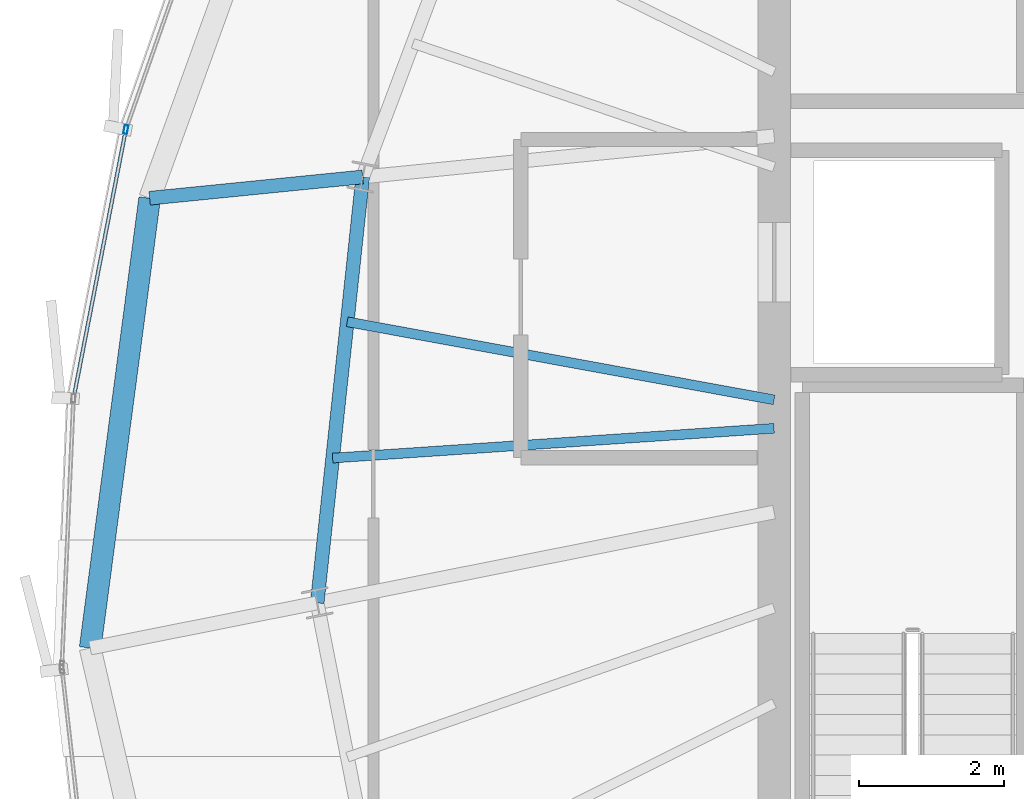
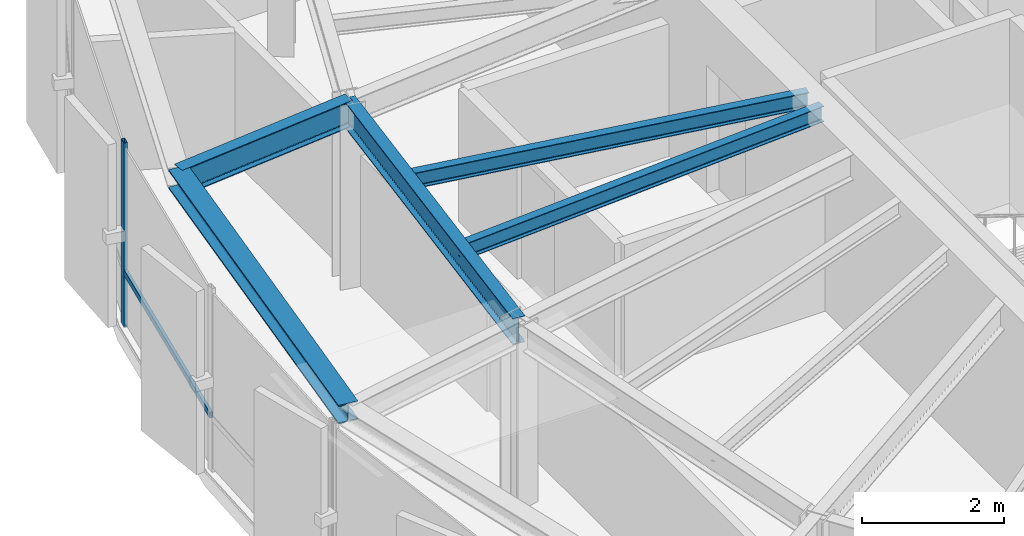
# One storey, part 11 of 31: 5 beams, 2 members, 1 element without a shape of its own.
"""IFC4 building model written with IfcOpenShell, lengths in metres."""

from ifc_helpers import new_model, si_unit, direction, frame, origin, origin_2d, place, context, subcontext, project, spatial, hollow_rectangle, i_section, extrude, source, transform, mapped, material, layer, layer_set, material_profile, profile_set, type_object, element, aggregate, save


model = new_model("IFC4")

# Units and contexts
model_context = context("Model", 3, precision=1e-05, world=origin(), true_north=direction((0.0, 1.0)))
body_context = subcontext(model_context, "Body", "Model", "MODEL_VIEW")
ifc_project = project(units=[si_unit("LENGTHUNIT", "METRE"), si_unit("AREAUNIT", "SQUARE_METRE"), si_unit("VOLUMEUNIT", "CUBIC_METRE"), si_unit("PLANEANGLEUNIT", "RADIAN"), si_unit("MASSUNIT", "GRAM", prefix="KILO"), si_unit("THERMODYNAMICTEMPERATUREUNIT", "KELVIN")], contexts=[model_context])

# Site, building, storey
site_placement = place(None, origin())
site = spatial("IfcSite", under=ifc_project, at=site_placement, CompositionType="ELEMENT")
building_placement = place(site_placement, origin())
building = spatial("IfcBuilding", under=site, at=building_placement, Name="Kethvar Cultural Tower", CompositionType="ELEMENT")
storey_placement = place(building_placement, frame((0.0, 0.0, 300.85009765625)))
storey = spatial("IfcBuildingStorey", under=building, at=storey_placement, Name="L80", CompositionType="ELEMENT", Elevation=300.85009765625)

# Beams
ifc_material_1 = material(Name="Steel S355J2", Category="steel")
ifc_material_profile_1 = material_profile(ifc_material_1, i_section(OverallWidth=0.18994140625, OverallDepth=0.449951171875, WebThickness=0.009521484375, FlangeThickness=0.0146484375, FilletRadius=0.02099609375, at=origin_2d()), Name="Steel S355J2 — IPE450")
ifc_profile_set_1 = profile_set([ifc_material_profile_1], Name="Steel S355J2 — IPE450")
beam_type_1 = type_object("IfcBeamType", Name="BM-IPE450", PredefinedType="BEAM", material=ifc_profile_set_1)
shared_shape_1 = source(origin(), body_context, "Body", "SweptSolid", [
    extrude(i_section(OverallWidth=0.18994140625, OverallDepth=0.449951171875, WebThickness=0.009521484375, FlangeThickness=0.0146484375, FilletRadius=0.02099609375, at=origin_2d()), origin(), (0.0, 0.0, 1.0), 5.92236328125),
])
beam_1_placement = place(storey_placement, frame((32.3125, 30.681884765625, 2.9580078125), z_axis=(-0.106272578913, -0.994337034899, 0.0), x_axis=(0.994337034899, -0.106272578913, 0.0)))
element("IfcBeam", 1, at=beam_1_placement, inside=storey, type_object=beam_type_1, Name="L80 Column Ring Tie Beam CR-08", PredefinedType="BEAM", context=body_context, shape_type="MappedRepresentation", body=[
    mapped(shared_shape_1, transform((0.0, 0.0, 0.0), scale=1.0)),
])
ifc_material_profile_2 = material_profile(ifc_material_1, i_section(OverallWidth=0.135009765625, OverallDepth=0.27001953125, WebThickness=0.006591796875, FlangeThickness=0.01025390625, FilletRadius=0.014892578125, at=origin_2d()), Name="Steel S355J2 — IPE270")
ifc_profile_set_2 = profile_set([ifc_material_profile_2], Name="Steel S355J2 — IPE270")
beam_type_2 = type_object("IfcBeamType", Name="BM-J270", PredefinedType="JOIST", material=ifc_profile_set_2)
shared_shape_2 = source(origin(), body_context, "Body", "SweptSolid", [
    extrude(i_section(OverallWidth=0.135009765625, OverallDepth=0.27001953125, WebThickness=0.006591796875, FlangeThickness=0.01025390625, FilletRadius=0.014892578125, at=origin_2d()), origin(), (0.0, 0.0, 1.0), 5.99951171875),
])
beam_2_placement = place(storey_placement, frame((38.0, 27.60009765625, 3.0478515625), z_axis=(-0.983676616141, 0.179945310742, 0.0), x_axis=(-0.179945310742, -0.983676616141, 0.0)))
element("IfcBeam", 2, at=beam_2_placement, inside=storey, type_object=beam_type_2, Name="L80 Composite Floor Joist J-08A", PredefinedType="JOIST", context=body_context, shape_type="MappedRepresentation", body=[
    mapped(shared_shape_2, transform((0.0, 0.0, 0.0), scale=1.0)),
])
shared_shape_3 = source(origin(), body_context, "Body", "SweptSolid", [
    extrude(i_section(OverallWidth=0.135009765625, OverallDepth=0.27001953125, WebThickness=0.006591796875, FlangeThickness=0.01025390625, FilletRadius=0.014892578125, at=origin_2d()), origin(), (0.0, 0.0, 1.0), 6.116943359375),
])
beam_3_placement = place(storey_placement, frame((38.0, 27.206787109375, 3.0478515625), z_axis=(-0.997733289627, -0.067292516454, 0.0), x_axis=(0.067292516454, -0.997733289627, 0.0)))
element("IfcBeam", 3, at=beam_3_placement, inside=storey, type_object=beam_type_2, Name="L80 Composite Floor Joist J-08B", PredefinedType="JOIST", context=body_context, shape_type="MappedRepresentation", body=[
    mapped(shared_shape_3, transform((0.0, 0.0, 0.0), scale=1.0)),
])
shared_shape_4 = source(origin(), body_context, "Body", "SweptSolid", [
    extrude(i_section(OverallWidth=0.18994140625, OverallDepth=0.449951171875, WebThickness=0.009521484375, FlangeThickness=0.0146484375, FilletRadius=0.02099609375, at=origin_2d()), origin(), (0.0, 0.0, 1.0), 2.9599609375),
])
beam_4_placement = place(storey_placement, frame((32.3125, 30.681884765625, 2.9580078125), z_axis=(-0.995048616627, -0.099389388514, 0.0), x_axis=(0.099389388514, -0.995048616627, 0.0)))
element("IfcBeam", 4, at=beam_4_placement, inside=storey, type_object=beam_type_1, Name="L80 Perimeter Cantilever Beam RC-08", PredefinedType="BEAM", context=body_context, shape_type="MappedRepresentation", body=[
    mapped(shared_shape_4, transform((0.0, 0.0, 0.0), scale=1.0)),
])
ifc_material_profile_3 = material_profile(ifc_material_1, i_section(OverallWidth=0.300048828125, OverallDepth=0.320068359375, WebThickness=0.011474609375, FlangeThickness=0.0205078125, FilletRadius=0.027099609375, at=origin_2d()), Name="Steel S355J2 — HEB320")
ifc_profile_set_3 = profile_set([ifc_material_profile_3], Name="Steel S355J2 — HEB320")
beam_type_3 = type_object("IfcBeamType", Name="BM-SP320", PredefinedType="SPANDREL", material=ifc_profile_set_3)
shared_shape_5 = source(origin(), body_context, "Body", "SweptSolid", [
    extrude(i_section(OverallWidth=0.300048828125, OverallDepth=0.320068359375, WebThickness=0.011474609375, FlangeThickness=0.0205078125, FilletRadius=0.027099609375, at=origin_2d()), origin(), (0.0, 0.0, 1.0), 6.273193359375),
])
beam_5_placement = place(storey_placement, frame((29.3671875, 30.3876953125, 3.02294921875), z_axis=(-0.131154158977, -0.991361985646, 0.0), x_axis=(0.991361985646, -0.131154158977, 0.0)))
element("IfcBeam", 5, at=beam_5_placement, inside=storey, type_object=beam_type_3, Name="L80 Perimeter Spandrel Beam SP-08", PredefinedType="SPANDREL", context=body_context, shape_type="MappedRepresentation", body=[
    mapped(shared_shape_5, transform((0.0, 0.0, 0.0), scale=1.0)),
])

# Curtain wall, members
ifc_material_2 = material(Name="Aluminium 6063-T6", Category="aluminium")
ifc_layer = layer(ifc_material_2, 0.179931640625, Name="Aluminium 6063-T6", Category="aluminium")
ifc_layer_set = layer_set([ifc_layer], Name="Aluminium 6063-T6 (180 mm)")
curtain_wall_type = type_object("IfcCurtainWallType", Name="CW-SYS-05-Z56", PredefinedType="NOTDEFINED", material=ifc_layer_set)
curtain_wall_placement = place(storey_placement, origin())
curtain_wall = element("IfcCurtainWall", 6, at=curtain_wall_placement, inside=storey, type_object=curtain_wall_type, Name="L80 Curtain Wall Run 02", PredefinedType="NOTDEFINED")
ifc_material_profile_4 = material_profile(ifc_material_2, hollow_rectangle(XDim=0.054931640625, YDim=0.1201171875, WallThickness=0.00390625, at=origin_2d()), Name="Aluminium 6063-T6 — RHS120x55x4")
ifc_profile_set_4 = profile_set([ifc_material_profile_4], Name="Aluminium 6063-T6 — RHS120x55x4")
member_type_1 = type_object("IfcMemberType", Name="CW-SYS-05-Z56-MUL", PredefinedType="MULLION", material=ifc_profile_set_4)
shared_shape_6 = source(origin(), body_context, "Body", "SweptSolid", [
    extrude(hollow_rectangle(XDim=0.054931640625, YDim=0.1201171875, WallThickness=0.00390625, at=origin_2d()), origin(), (0.0, 0.0, 1.0), 3.184814453125),
])
member_1_placement = place(storey_placement, frame((29.038330078125, 31.337158203125, 0.0), z_axis=(0.0, 0.0, 1.0), x_axis=(0.98159053266, -0.190997450749, 0.0)))
member_1 = element("IfcMember", 7, at=member_1_placement, type_object=member_type_1, Name="CW-L80-R02 Mullion 5", PredefinedType="MULLION", context=body_context, shape_type="MappedRepresentation", body=[
    mapped(shared_shape_6, transform((0.0, 0.0, 0.0), scale=1.0)),
])
ifc_material_profile_5 = material_profile(ifc_material_2, hollow_rectangle(XDim=0.050048828125, YDim=0.10009765625, WallThickness=0.00390625, at=origin_2d()), Name="Aluminium 6063-T6 — RHS100x50x4")
ifc_profile_set_5 = profile_set([ifc_material_profile_5], Name="Aluminium 6063-T6 — RHS100x50x4")
member_type_2 = type_object("IfcMemberType", Name="CW-SYS-05-Z56-TRN", PredefinedType="USERDEFINED", material=ifc_profile_set_5)
shared_shape_7 = source(origin(), body_context, "Body", "SweptSolid", [
    extrude(hollow_rectangle(XDim=0.050048828125, YDim=0.10009765625, WallThickness=0.00390625, at=origin_2d()), origin(), (0.0, 0.0, 1.0), 3.722412109375),
])
member_2_placement = place(storey_placement, frame((29.03076171875, 31.298095703125, 0.949951171875), z_axis=(-0.191055738237, -0.98157918931, 0.0), x_axis=(0.98157918931, -0.191055738237, 0.0)))
member_2 = element("IfcMember", 8, at=member_2_placement, type_object=member_type_2, Name="CW-L80-R02 Transom 5", ObjectType="TRANSOM", PredefinedType="USERDEFINED", context=body_context, shape_type="MappedRepresentation", body=[
    mapped(shared_shape_7, transform((0.0, 0.0, 0.0), scale=1.0)),
])
aggregate(curtain_wall, [member_1, member_2])

save(model, "model.ifc")
